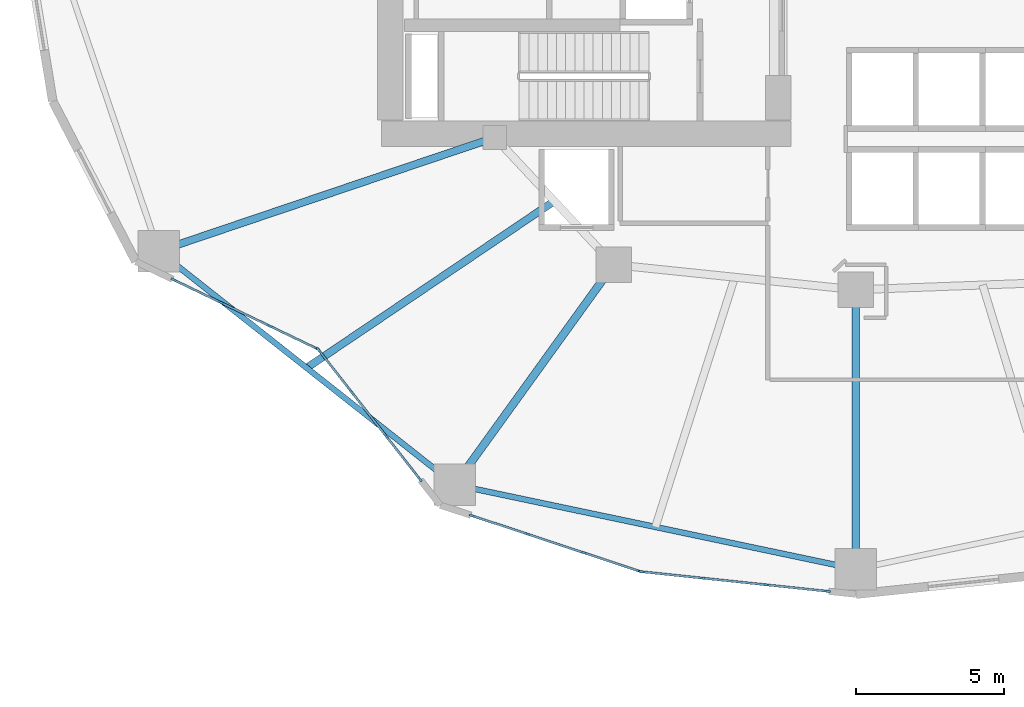
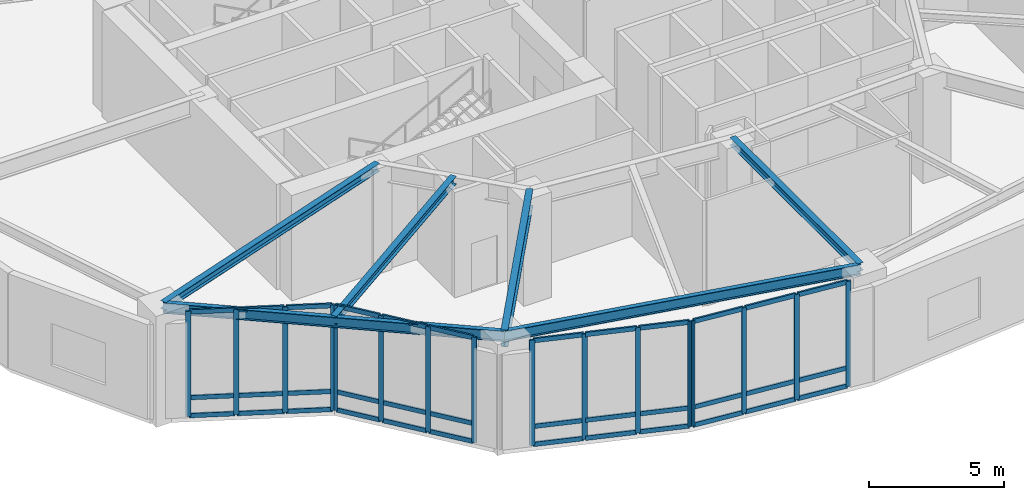
# One storey, part 2 of 24: 52 members, 6 beams, 4 elements without a shape of their own.
"""IFC4 building model written with IfcOpenShell, lengths in metres."""

from ifc_helpers import new_model, si_unit, direction, frame, origin, origin_2d, place, context, subcontext, project, spatial, rectangle, i_section, extrude, material, layer, layer_set, material_profile, profile_set, type_object, element, aggregate, save


model = new_model("IFC4")

# Units and contexts
model_context = context("Model", 3, precision=1e-05, world=origin(), true_north=direction((0.0, 1.0)))
body_context = subcontext(model_context, "Body", "Model", "MODEL_VIEW")
ifc_project = project(units=[si_unit("LENGTHUNIT", "METRE"), si_unit("AREAUNIT", "SQUARE_METRE"), si_unit("VOLUMEUNIT", "CUBIC_METRE"), si_unit("PLANEANGLEUNIT", "RADIAN"), si_unit("MASSUNIT", "GRAM", prefix="KILO")], contexts=[model_context])

# Site, building, storey
site_placement = place(None, origin())
site = spatial("IfcSite", under=ifc_project, at=site_placement, CompositionType="ELEMENT")
building_placement = place(site_placement, origin())
building = spatial("IfcBuilding", under=site, at=building_placement, Name="Kolvaren Gate Tower and Convention Centre", CompositionType="ELEMENT")
storey_placement = place(building_placement, frame((0.0, 0.0, 10.0)))
storey = spatial("IfcBuildingStorey", under=building, at=storey_placement, Name="L02", CompositionType="ELEMENT", Elevation=10.0)

# Curtain wall, members
ifc_material_1 = material(Name="Anodized Architectural Aluminium Alloy 6063-T6", Category="aluminium")
ifc_layer = layer(ifc_material_1, 0.179931640625)
ifc_layer_set = layer_set([ifc_layer], Name="Anodized Architectural Aluminium Alloy 6063-T6")
curtain_wall_type = type_object("IfcCurtainWallType", Name="CW-POD-GLZ", PredefinedType="NOTDEFINED", material=ifc_layer_set)
curtain_wall_1_placement = place(storey_placement, origin())
curtain_wall_1 = element("IfcCurtainWall", 1, at=curtain_wall_1_placement, inside=storey, type_object=curtain_wall_type, Name="Tower L02 Unitised Curtain Wall CW-POD-GLZ Bay 14", PredefinedType="NOTDEFINED")
ifc_material_profile_1 = material_profile(ifc_material_1, rectangle(XDim=0.074951171875, YDim=0.199951171875, at=origin_2d()), Name="CW-MEM-MUL-200")
ifc_profile_set_1 = profile_set([ifc_material_profile_1], Name="Anodized Architectural Aluminium Alloy 6063-T6")
member_type_1 = type_object("IfcMemberType", Name="CW-MEM-MUL-200", PredefinedType="MULLION", material=ifc_profile_set_1)
member_1_placement = place(storey_placement, frame((7.046630859375, 15.1357421875, 0.0), z_axis=(0.0, 0.0, 1.0), x_axis=(0.433056703319, 0.901366679942, 0.0)))
member_1 = element("IfcMember", 2, at=member_1_placement, type_object=member_type_1, Name="CW-01 mullion 1", PredefinedType="MULLION", context=body_context, shape_type="SweptSolid", body=[
    extrude(rectangle(XDim=0.074951171875, YDim=0.199951171875, at=origin_2d()), origin(), (0.0, 0.0, 1.0), 4.760009765625),
])
member_2_placement = place(storey_placement, frame((8.6533203125, 14.36376953125, 0.0), z_axis=(0.0, 0.0, 1.0), x_axis=(0.433056703319, 0.901366679942, 0.0)))
member_2 = element("IfcMember", 3, at=member_2_placement, type_object=member_type_1, Name="CW-01 mullion 2", PredefinedType="MULLION", context=body_context, shape_type="SweptSolid", body=[
    extrude(rectangle(XDim=0.074951171875, YDim=0.199951171875, at=origin_2d()), origin(), (0.0, 0.0, 1.0), 4.760009765625),
])
member_3_placement = place(storey_placement, frame((10.2939453125, 13.575439453125, 0.0), z_axis=(0.0, 0.0, 1.0), x_axis=(0.433056703319, 0.901366679942, 0.0)))
member_3 = element("IfcMember", 4, at=member_3_placement, type_object=member_type_1, Name="CW-01 mullion 3", PredefinedType="MULLION", context=body_context, shape_type="SweptSolid", body=[
    extrude(rectangle(XDim=0.074951171875, YDim=0.199951171875, at=origin_2d()), origin(), (0.0, 0.0, 1.0), 4.760009765625),
])
member_4_placement = place(storey_placement, frame((11.90087890625, 12.803466796875, 0.0), z_axis=(0.0, 0.0, 1.0), x_axis=(0.433056703319, 0.901366679942, 0.0)))
member_4 = element("IfcMember", 5, at=member_4_placement, type_object=member_type_1, Name="CW-01 mullion 4", PredefinedType="MULLION", context=body_context, shape_type="SweptSolid", body=[
    extrude(rectangle(XDim=0.074951171875, YDim=0.199951171875, at=origin_2d()), origin(), (0.0, 0.0, 1.0), 4.760009765625),
])

curtain_wall_2_placement = place(storey_placement, origin())
curtain_wall_2 = element("IfcCurtainWall", 6, at=curtain_wall_2_placement, inside=storey, type_object=curtain_wall_type, Name="Tower L02 Unitised Curtain Wall CW-POD-GLZ Bay 15", PredefinedType="NOTDEFINED")
member_5_placement = place(storey_placement, frame((11.957763671875, 12.757568359375, 0.0), z_axis=(0.0, 0.0, 1.0), x_axis=(0.787416755422, 0.616421003276, 0.0)))
member_5 = element("IfcMember", 7, at=member_5_placement, type_object=member_type_1, Name="CW-01 mullion 1", PredefinedType="MULLION", context=body_context, shape_type="SweptSolid", body=[
    extrude(rectangle(XDim=0.074951171875, YDim=0.199951171875, at=origin_2d()), origin(), (0.0, 0.0, 1.0), 4.760009765625),
])
member_6_placement = place(storey_placement, frame((13.08935546875, 11.31201171875, 0.0), z_axis=(0.0, 0.0, 1.0), x_axis=(0.787416755422, 0.616421003276, 0.0)))
member_6 = element("IfcMember", 8, at=member_6_placement, type_object=member_type_1, Name="CW-01 mullion 2", PredefinedType="MULLION", context=body_context, shape_type="SweptSolid", body=[
    extrude(rectangle(XDim=0.074951171875, YDim=0.199951171875, at=origin_2d()), origin(), (0.0, 0.0, 1.0), 4.760009765625),
])
member_7_placement = place(storey_placement, frame((14.244140625, 9.8369140625, 0.0), z_axis=(0.0, 0.0, 1.0), x_axis=(0.787416755422, 0.616421003276, 0.0)))
member_7 = element("IfcMember", 9, at=member_7_placement, type_object=member_type_1, Name="CW-01 mullion 3", PredefinedType="MULLION", context=body_context, shape_type="SweptSolid", body=[
    extrude(rectangle(XDim=0.074951171875, YDim=0.199951171875, at=origin_2d()), origin(), (0.0, 0.0, 1.0), 4.760009765625),
])
member_8_placement = place(storey_placement, frame((15.3759765625, 8.391357421875, 0.0), z_axis=(0.0, 0.0, 1.0), x_axis=(0.787416755422, 0.616421003276, 0.0)))
member_8 = element("IfcMember", 10, at=member_8_placement, type_object=member_type_1, Name="CW-01 mullion 4", PredefinedType="MULLION", context=body_context, shape_type="SweptSolid", body=[
    extrude(rectangle(XDim=0.074951171875, YDim=0.199951171875, at=origin_2d()), origin(), (0.0, 0.0, 1.0), 4.760009765625),
])

curtain_wall_3_placement = place(storey_placement, origin())
curtain_wall_3 = element("IfcCurtainWall", 11, at=curtain_wall_3_placement, inside=storey, type_object=curtain_wall_type, Name="Tower L02 Unitised Curtain Wall CW-POD-GLZ Bay 16", PredefinedType="NOTDEFINED")
member_9_placement = place(storey_placement, frame((17.137451171875, 7.158203125, 0.0), z_axis=(0.0, 0.0, 1.0), x_axis=(0.314546537175, 0.949242053404, 0.0)))
member_9 = element("IfcMember", 12, at=member_9_placement, type_object=member_type_1, Name="CW-01 mullion 1", PredefinedType="MULLION", context=body_context, shape_type="SweptSolid", body=[
    extrude(rectangle(XDim=0.074951171875, YDim=0.199951171875, at=origin_2d()), origin(), (0.0, 0.0, 1.0), 4.760009765625),
])
member_10_placement = place(storey_placement, frame((19.0166015625, 6.53564453125, 0.0), z_axis=(0.0, 0.0, 1.0), x_axis=(0.314546537175, 0.949242053404, 0.0)))
member_10 = element("IfcMember", 13, at=member_10_placement, type_object=member_type_1, Name="CW-01 mullion 2", PredefinedType="MULLION", context=body_context, shape_type="SweptSolid", body=[
    extrude(rectangle(XDim=0.074951171875, YDim=0.199951171875, at=origin_2d()), origin(), (0.0, 0.0, 1.0), 4.760009765625),
])
member_11_placement = place(storey_placement, frame((20.93115234375, 5.901123046875, 0.0), z_axis=(0.0, 0.0, 1.0), x_axis=(0.314546537175, 0.949242053404, 0.0)))
member_11 = element("IfcMember", 14, at=member_11_placement, type_object=member_type_1, Name="CW-01 mullion 3", PredefinedType="MULLION", context=body_context, shape_type="SweptSolid", body=[
    extrude(rectangle(XDim=0.074951171875, YDim=0.199951171875, at=origin_2d()), origin(), (0.0, 0.0, 1.0), 4.760009765625),
])
member_12_placement = place(storey_placement, frame((22.81005859375, 5.278564453125, 0.0), z_axis=(0.0, 0.0, 1.0), x_axis=(0.314546537175, 0.949242053404, 0.0)))
member_12 = element("IfcMember", 15, at=member_12_placement, type_object=member_type_1, Name="CW-01 mullion 4", PredefinedType="MULLION", context=body_context, shape_type="SweptSolid", body=[
    extrude(rectangle(XDim=0.074951171875, YDim=0.199951171875, at=origin_2d()), origin(), (0.0, 0.0, 1.0), 4.760009765625),
])

curtain_wall_4_placement = place(storey_placement, origin())
curtain_wall_4 = element("IfcCurtainWall", 16, at=curtain_wall_4_placement, inside=storey, type_object=curtain_wall_type, Name="Tower L02 Unitised Curtain Wall CW-POD-GLZ Bay 17", PredefinedType="NOTDEFINED")
member_13_placement = place(storey_placement, frame((22.883056640625, 5.2626953125, 0.0), z_axis=(0.0, 0.0, 1.0), x_axis=(0.104741799872, 0.994499449653, 0.0)))
member_13 = element("IfcMember", 17, at=member_13_placement, type_object=member_type_1, Name="CW-01 mullion 1", PredefinedType="MULLION", context=body_context, shape_type="SweptSolid", body=[
    extrude(rectangle(XDim=0.074951171875, YDim=0.199951171875, at=origin_2d()), origin(), (0.0, 0.0, 1.0), 4.760009765625),
])
member_14_placement = place(storey_placement, frame((24.96435546875, 5.04345703125, 0.0), z_axis=(0.0, 0.0, 1.0), x_axis=(0.104741799872, 0.994499449653, 0.0)))
member_14 = element("IfcMember", 18, at=member_14_placement, type_object=member_type_1, Name="CW-01 mullion 2", PredefinedType="MULLION", context=body_context, shape_type="SweptSolid", body=[
    extrude(rectangle(XDim=0.074951171875, YDim=0.199951171875, at=origin_2d()), origin(), (0.0, 0.0, 1.0), 4.760009765625),
])
member_15_placement = place(storey_placement, frame((27.0830078125, 4.8203125, 0.0), z_axis=(0.0, 0.0, 1.0), x_axis=(0.104741799872, 0.994499449653, 0.0)))
member_15 = element("IfcMember", 19, at=member_15_placement, type_object=member_type_1, Name="CW-01 mullion 3", PredefinedType="MULLION", context=body_context, shape_type="SweptSolid", body=[
    extrude(rectangle(XDim=0.074951171875, YDim=0.199951171875, at=origin_2d()), origin(), (0.0, 0.0, 1.0), 4.760009765625),
])
member_16_placement = place(storey_placement, frame((29.164306640625, 4.601318359375, 0.0), z_axis=(0.0, 0.0, 1.0), x_axis=(0.104741799872, 0.994499449653, 0.0)))
member_16 = element("IfcMember", 20, at=member_16_placement, type_object=member_type_1, Name="CW-01 mullion 4", PredefinedType="MULLION", context=body_context, shape_type="SweptSolid", body=[
    extrude(rectangle(XDim=0.074951171875, YDim=0.199951171875, at=origin_2d()), origin(), (0.0, 0.0, 1.0), 4.760009765625),
])

# Member
ifc_material_profile_2 = material_profile(ifc_material_1, rectangle(XDim=0.074951171875, YDim=0.199951171875, at=origin_2d()), Name="CW-MEM-TRN-200")
ifc_profile_set_2 = profile_set([ifc_material_profile_2], Name="Anodized Architectural Aluminium Alloy 6063-T6")
member_type_2 = type_object("IfcMemberType", Name="CW-MEM-TRN-200", PredefinedType="USERDEFINED", material=ifc_profile_set_2)
member_17_placement = place(storey_placement, frame((7.080322265625, 15.119384765625, 0.03759765625), z_axis=(0.901377999465, -0.433033142011, 0.0), x_axis=(0.433033142011, 0.901377999465, 0.0)))
member_17 = element("IfcMember", 21, at=member_17_placement, type_object=member_type_2, Name="CW-01 transom 1.1", ObjectType="TRANSOM", PredefinedType="USERDEFINED", context=body_context, shape_type="SweptSolid", body=[
    extrude(rectangle(XDim=0.074951171875, YDim=0.199951171875, at=origin_2d()), origin(), (0.0, 0.0, 1.0), 1.707763671875),
])

member_18_placement = place(storey_placement, frame((7.080322265625, 15.119384765625, 0.85009765625), z_axis=(0.901377999465, -0.433033142011, 0.0), x_axis=(0.433033142011, 0.901377999465, 0.0)))
member_18 = element("IfcMember", 22, at=member_18_placement, type_object=member_type_2, Name="CW-01 transom 1.2", ObjectType="TRANSOM", PredefinedType="USERDEFINED", context=body_context, shape_type="SweptSolid", body=[
    extrude(rectangle(XDim=0.074951171875, YDim=0.199951171875, at=origin_2d()), origin(), (0.0, 0.0, 1.0), 1.707763671875),
])

member_19_placement = place(storey_placement, frame((7.080322265625, 15.119384765625, 4.722412109375), z_axis=(0.901377999465, -0.433033142011, 0.0), x_axis=(0.433033142011, 0.901377999465, 0.0)))
member_19 = element("IfcMember", 23, at=member_19_placement, type_object=member_type_2, Name="CW-01 transom 1.3", ObjectType="TRANSOM", PredefinedType="USERDEFINED", context=body_context, shape_type="SweptSolid", body=[
    extrude(rectangle(XDim=0.074951171875, YDim=0.199951171875, at=origin_2d()), origin(), (0.0, 0.0, 1.0), 1.707763671875),
])

member_20_placement = place(storey_placement, frame((8.687255859375, 14.347412109375, 0.03759765625), z_axis=(0.901339603895, -0.433113055046, 0.0), x_axis=(0.433113055046, 0.901339603895, 0.0)))
member_20 = element("IfcMember", 24, at=member_20_placement, type_object=member_type_2, Name="CW-01 transom 2.1", ObjectType="TRANSOM", PredefinedType="USERDEFINED", context=body_context, shape_type="SweptSolid", body=[
    extrude(rectangle(XDim=0.074951171875, YDim=0.199951171875, at=origin_2d()), origin(), (0.0, 0.0, 1.0), 1.7451171875),
])

member_21_placement = place(storey_placement, frame((8.687255859375, 14.347412109375, 0.85009765625), z_axis=(0.901339603895, -0.433113055046, 0.0), x_axis=(0.433113055046, 0.901339603895, 0.0)))
member_21 = element("IfcMember", 25, at=member_21_placement, type_object=member_type_2, Name="CW-01 transom 2.2", ObjectType="TRANSOM", PredefinedType="USERDEFINED", context=body_context, shape_type="SweptSolid", body=[
    extrude(rectangle(XDim=0.074951171875, YDim=0.199951171875, at=origin_2d()), origin(), (0.0, 0.0, 1.0), 1.7451171875),
])

member_22_placement = place(storey_placement, frame((8.687255859375, 14.347412109375, 4.722412109375), z_axis=(0.901339603895, -0.433113055046, 0.0), x_axis=(0.433113055046, 0.901339603895, 0.0)))
member_22 = element("IfcMember", 26, at=member_22_placement, type_object=member_type_2, Name="CW-01 transom 2.3", ObjectType="TRANSOM", PredefinedType="USERDEFINED", context=body_context, shape_type="SweptSolid", body=[
    extrude(rectangle(XDim=0.074951171875, YDim=0.199951171875, at=origin_2d()), origin(), (0.0, 0.0, 1.0), 1.7451171875),
])

member_23_placement = place(storey_placement, frame((10.327880859375, 13.55908203125, 0.03759765625), z_axis=(0.901377999465, -0.433033142011, 0.0), x_axis=(0.433033142011, 0.901377999465, 0.0)))
member_23 = element("IfcMember", 27, at=member_23_placement, type_object=member_type_2, Name="CW-01 transom 3.1", ObjectType="TRANSOM", PredefinedType="USERDEFINED", context=body_context, shape_type="SweptSolid", body=[
    extrude(rectangle(XDim=0.074951171875, YDim=0.199951171875, at=origin_2d()), origin(), (0.0, 0.0, 1.0), 1.707763671875),
])

member_24_placement = place(storey_placement, frame((10.327880859375, 13.55908203125, 0.85009765625), z_axis=(0.901377999465, -0.433033142011, 0.0), x_axis=(0.433033142011, 0.901377999465, 0.0)))
member_24 = element("IfcMember", 28, at=member_24_placement, type_object=member_type_2, Name="CW-01 transom 3.2", ObjectType="TRANSOM", PredefinedType="USERDEFINED", context=body_context, shape_type="SweptSolid", body=[
    extrude(rectangle(XDim=0.074951171875, YDim=0.199951171875, at=origin_2d()), origin(), (0.0, 0.0, 1.0), 1.707763671875),
])

member_25_placement = place(storey_placement, frame((10.327880859375, 13.55908203125, 4.722412109375), z_axis=(0.901377999465, -0.433033142011, 0.0), x_axis=(0.433033142011, 0.901377999465, 0.0)))
member_25 = element("IfcMember", 29, at=member_25_placement, type_object=member_type_2, Name="CW-01 transom 3.3", ObjectType="TRANSOM", PredefinedType="USERDEFINED", context=body_context, shape_type="SweptSolid", body=[
    extrude(rectangle(XDim=0.074951171875, YDim=0.199951171875, at=origin_2d()), origin(), (0.0, 0.0, 1.0), 1.707763671875),
])

aggregate(curtain_wall_1, [member_1, member_2, member_3, member_4, member_17, member_18, member_19, member_20, member_21, member_22, member_23, member_24, member_25])

member_26_placement = place(storey_placement, frame((11.98095703125, 12.72802734375, 0.03759765625), z_axis=(0.616442840137, -0.787399660175, 0.0), x_axis=(0.787399660175, 0.616442840137, 0.0)))
member_26 = element("IfcMember", 30, at=member_26_placement, type_object=member_type_2, Name="CW-01 transom 1.1", ObjectType="TRANSOM", PredefinedType="USERDEFINED", context=body_context, shape_type="SweptSolid", body=[
    extrude(rectangle(XDim=0.074951171875, YDim=0.199951171875, at=origin_2d()), origin(), (0.0, 0.0, 1.0), 1.7607421875),
])

member_27_placement = place(storey_placement, frame((11.98095703125, 12.72802734375, 0.85009765625), z_axis=(0.616442840137, -0.787399660175, 0.0), x_axis=(0.787399660175, 0.616442840137, 0.0)))
member_27 = element("IfcMember", 31, at=member_27_placement, type_object=member_type_2, Name="CW-01 transom 1.2", ObjectType="TRANSOM", PredefinedType="USERDEFINED", context=body_context, shape_type="SweptSolid", body=[
    extrude(rectangle(XDim=0.074951171875, YDim=0.199951171875, at=origin_2d()), origin(), (0.0, 0.0, 1.0), 1.7607421875),
])

member_28_placement = place(storey_placement, frame((11.98095703125, 12.72802734375, 4.722412109375), z_axis=(0.616442840137, -0.787399660175, 0.0), x_axis=(0.787399660175, 0.616442840137, 0.0)))
member_28 = element("IfcMember", 32, at=member_28_placement, type_object=member_type_2, Name="CW-01 transom 1.3", ObjectType="TRANSOM", PredefinedType="USERDEFINED", context=body_context, shape_type="SweptSolid", body=[
    extrude(rectangle(XDim=0.074951171875, YDim=0.199951171875, at=origin_2d()), origin(), (0.0, 0.0, 1.0), 1.7607421875),
])

member_29_placement = place(storey_placement, frame((13.112548828125, 11.282470703125, 0.03759765625), z_axis=(0.616465649316, -0.787381802694, 0.0), x_axis=(0.787381802694, 0.616465649316, 0.0)))
member_29 = element("IfcMember", 33, at=member_29_placement, type_object=member_type_2, Name="CW-01 transom 2.1", ObjectType="TRANSOM", PredefinedType="USERDEFINED", context=body_context, shape_type="SweptSolid", body=[
    extrude(rectangle(XDim=0.074951171875, YDim=0.199951171875, at=origin_2d()), origin(), (0.0, 0.0, 1.0), 1.79833984375),
])

member_30_placement = place(storey_placement, frame((13.112548828125, 11.282470703125, 0.85009765625), z_axis=(0.616465649316, -0.787381802694, 0.0), x_axis=(0.787381802694, 0.616465649316, 0.0)))
member_30 = element("IfcMember", 34, at=member_30_placement, type_object=member_type_2, Name="CW-01 transom 2.2", ObjectType="TRANSOM", PredefinedType="USERDEFINED", context=body_context, shape_type="SweptSolid", body=[
    extrude(rectangle(XDim=0.074951171875, YDim=0.199951171875, at=origin_2d()), origin(), (0.0, 0.0, 1.0), 1.79833984375),
])

member_31_placement = place(storey_placement, frame((13.112548828125, 11.282470703125, 4.722412109375), z_axis=(0.616465649316, -0.787381802694, 0.0), x_axis=(0.787381802694, 0.616465649316, 0.0)))
member_31 = element("IfcMember", 35, at=member_31_placement, type_object=member_type_2, Name="CW-01 transom 2.3", ObjectType="TRANSOM", PredefinedType="USERDEFINED", context=body_context, shape_type="SweptSolid", body=[
    extrude(rectangle(XDim=0.074951171875, YDim=0.199951171875, at=origin_2d()), origin(), (0.0, 0.0, 1.0), 1.79833984375),
])

member_32_placement = place(storey_placement, frame((14.267333984375, 9.807373046875, 0.03759765625), z_axis=(0.616442840137, -0.787399660175, 0.0), x_axis=(0.787399660175, 0.616442840137, 0.0)))
member_32 = element("IfcMember", 36, at=member_32_placement, type_object=member_type_2, Name="CW-01 transom 3.1", ObjectType="TRANSOM", PredefinedType="USERDEFINED", context=body_context, shape_type="SweptSolid", body=[
    extrude(rectangle(XDim=0.074951171875, YDim=0.199951171875, at=origin_2d()), origin(), (0.0, 0.0, 1.0), 1.7607421875),
])

member_33_placement = place(storey_placement, frame((14.267333984375, 9.807373046875, 0.85009765625), z_axis=(0.616442840137, -0.787399660175, 0.0), x_axis=(0.787399660175, 0.616442840137, 0.0)))
member_33 = element("IfcMember", 37, at=member_33_placement, type_object=member_type_2, Name="CW-01 transom 3.2", ObjectType="TRANSOM", PredefinedType="USERDEFINED", context=body_context, shape_type="SweptSolid", body=[
    extrude(rectangle(XDim=0.074951171875, YDim=0.199951171875, at=origin_2d()), origin(), (0.0, 0.0, 1.0), 1.7607421875),
])

member_34_placement = place(storey_placement, frame((14.267333984375, 9.807373046875, 4.722412109375), z_axis=(0.616442840137, -0.787399660175, 0.0), x_axis=(0.787399660175, 0.616442840137, 0.0)))
member_34 = element("IfcMember", 38, at=member_34_placement, type_object=member_type_2, Name="CW-01 transom 3.3", ObjectType="TRANSOM", PredefinedType="USERDEFINED", context=body_context, shape_type="SweptSolid", body=[
    extrude(rectangle(XDim=0.074951171875, YDim=0.199951171875, at=origin_2d()), origin(), (0.0, 0.0, 1.0), 1.7607421875),
])

aggregate(curtain_wall_2, [member_5, member_6, member_7, member_8, member_26, member_27, member_28, member_29, member_30, member_31, member_32, member_33, member_34])

member_35_placement = place(storey_placement, frame((17.173095703125, 7.146484375, 0.03759765625), z_axis=(0.949233065789, -0.314573658804, 0.0), x_axis=(0.314573658804, 0.949233065789, 0.0)))
member_35 = element("IfcMember", 39, at=member_35_placement, type_object=member_type_2, Name="CW-01 transom 1.1", ObjectType="TRANSOM", PredefinedType="USERDEFINED", context=body_context, shape_type="SweptSolid", body=[
    extrude(rectangle(XDim=0.074951171875, YDim=0.199951171875, at=origin_2d()), origin(), (0.0, 0.0, 1.0), 1.904541015625),
])

member_36_placement = place(storey_placement, frame((17.173095703125, 7.146484375, 0.85009765625), z_axis=(0.949233065789, -0.314573658804, 0.0), x_axis=(0.314573658804, 0.949233065789, 0.0)))
member_36 = element("IfcMember", 40, at=member_36_placement, type_object=member_type_2, Name="CW-01 transom 1.2", ObjectType="TRANSOM", PredefinedType="USERDEFINED", context=body_context, shape_type="SweptSolid", body=[
    extrude(rectangle(XDim=0.074951171875, YDim=0.199951171875, at=origin_2d()), origin(), (0.0, 0.0, 1.0), 1.904541015625),
])

member_37_placement = place(storey_placement, frame((17.173095703125, 7.146484375, 4.722412109375), z_axis=(0.949233065789, -0.314573658804, 0.0), x_axis=(0.314573658804, 0.949233065789, 0.0)))
member_37 = element("IfcMember", 41, at=member_37_placement, type_object=member_type_2, Name="CW-01 transom 1.3", ObjectType="TRANSOM", PredefinedType="USERDEFINED", context=body_context, shape_type="SweptSolid", body=[
    extrude(rectangle(XDim=0.074951171875, YDim=0.199951171875, at=origin_2d()), origin(), (0.0, 0.0, 1.0), 1.904541015625),
])

member_38_placement = place(storey_placement, frame((19.052001953125, 6.523681640625, 0.03759765625), z_axis=(0.949247481786, -0.314530154871, 0.0), x_axis=(0.314530154871, 0.949247481786, 0.0)))
member_38 = element("IfcMember", 42, at=member_38_placement, type_object=member_type_2, Name="CW-01 transom 2.1", ObjectType="TRANSOM", PredefinedType="USERDEFINED", context=body_context, shape_type="SweptSolid", body=[
    extrude(rectangle(XDim=0.074951171875, YDim=0.199951171875, at=origin_2d()), origin(), (0.0, 0.0, 1.0), 1.942138671875),
])

member_39_placement = place(storey_placement, frame((19.052001953125, 6.523681640625, 0.85009765625), z_axis=(0.949247481786, -0.314530154871, 0.0), x_axis=(0.314530154871, 0.949247481786, 0.0)))
member_39 = element("IfcMember", 43, at=member_39_placement, type_object=member_type_2, Name="CW-01 transom 2.2", ObjectType="TRANSOM", PredefinedType="USERDEFINED", context=body_context, shape_type="SweptSolid", body=[
    extrude(rectangle(XDim=0.074951171875, YDim=0.199951171875, at=origin_2d()), origin(), (0.0, 0.0, 1.0), 1.942138671875),
])

member_40_placement = place(storey_placement, frame((19.052001953125, 6.523681640625, 4.722412109375), z_axis=(0.949247481786, -0.314530154871, 0.0), x_axis=(0.314530154871, 0.949247481786, 0.0)))
member_40 = element("IfcMember", 44, at=member_40_placement, type_object=member_type_2, Name="CW-01 transom 2.3", ObjectType="TRANSOM", PredefinedType="USERDEFINED", context=body_context, shape_type="SweptSolid", body=[
    extrude(rectangle(XDim=0.074951171875, YDim=0.199951171875, at=origin_2d()), origin(), (0.0, 0.0, 1.0), 1.942138671875),
])

member_41_placement = place(storey_placement, frame((20.966796875, 5.889404296875, 0.03759765625), z_axis=(0.949220378414, -0.314611940657, 0.0), x_axis=(0.314611940657, 0.949220378414, 0.0)))
member_41 = element("IfcMember", 45, at=member_41_placement, type_object=member_type_2, Name="CW-01 transom 3.1", ObjectType="TRANSOM", PredefinedType="USERDEFINED", context=body_context, shape_type="SweptSolid", body=[
    extrude(rectangle(XDim=0.074951171875, YDim=0.199951171875, at=origin_2d()), origin(), (0.0, 0.0, 1.0), 1.904296875),
])

member_42_placement = place(storey_placement, frame((20.966796875, 5.889404296875, 0.85009765625), z_axis=(0.949220378414, -0.314611940657, 0.0), x_axis=(0.314611940657, 0.949220378414, 0.0)))
member_42 = element("IfcMember", 46, at=member_42_placement, type_object=member_type_2, Name="CW-01 transom 3.2", ObjectType="TRANSOM", PredefinedType="USERDEFINED", context=body_context, shape_type="SweptSolid", body=[
    extrude(rectangle(XDim=0.074951171875, YDim=0.199951171875, at=origin_2d()), origin(), (0.0, 0.0, 1.0), 1.904296875),
])

member_43_placement = place(storey_placement, frame((20.966796875, 5.889404296875, 4.722412109375), z_axis=(0.949220378414, -0.314611940657, 0.0), x_axis=(0.314611940657, 0.949220378414, 0.0)))
member_43 = element("IfcMember", 47, at=member_43_placement, type_object=member_type_2, Name="CW-01 transom 3.3", ObjectType="TRANSOM", PredefinedType="USERDEFINED", context=body_context, shape_type="SweptSolid", body=[
    extrude(rectangle(XDim=0.074951171875, YDim=0.199951171875, at=origin_2d()), origin(), (0.0, 0.0, 1.0), 1.904296875),
])

aggregate(curtain_wall_3, [member_9, member_10, member_11, member_12, member_35, member_36, member_37, member_38, member_39, member_40, member_41, member_42, member_43])

member_44_placement = place(storey_placement, frame((22.920166015625, 5.2587890625, 0.03759765625), z_axis=(0.994508767121, -0.104653294837, 0.0), x_axis=(0.104653294837, 0.994508767121, 0.0)))
member_44 = element("IfcMember", 48, at=member_44_placement, type_object=member_type_2, Name="CW-01 transom 1.1", ObjectType="TRANSOM", PredefinedType="USERDEFINED", context=body_context, shape_type="SweptSolid", body=[
    extrude(rectangle(XDim=0.074951171875, YDim=0.199951171875, at=origin_2d()), origin(), (0.0, 0.0, 1.0), 2.017822265625),
])

member_45_placement = place(storey_placement, frame((22.920166015625, 5.2587890625, 0.85009765625), z_axis=(0.994508767121, -0.104653294837, 0.0), x_axis=(0.104653294837, 0.994508767121, 0.0)))
member_45 = element("IfcMember", 49, at=member_45_placement, type_object=member_type_2, Name="CW-01 transom 1.2", ObjectType="TRANSOM", PredefinedType="USERDEFINED", context=body_context, shape_type="SweptSolid", body=[
    extrude(rectangle(XDim=0.074951171875, YDim=0.199951171875, at=origin_2d()), origin(), (0.0, 0.0, 1.0), 2.017822265625),
])

member_46_placement = place(storey_placement, frame((22.920166015625, 5.2587890625, 4.722412109375), z_axis=(0.994508767121, -0.104653294837, 0.0), x_axis=(0.104653294837, 0.994508767121, 0.0)))
member_46 = element("IfcMember", 50, at=member_46_placement, type_object=member_type_2, Name="CW-01 transom 1.3", ObjectType="TRANSOM", PredefinedType="USERDEFINED", context=body_context, shape_type="SweptSolid", body=[
    extrude(rectangle(XDim=0.074951171875, YDim=0.199951171875, at=origin_2d()), origin(), (0.0, 0.0, 1.0), 2.017822265625),
])

member_47_placement = place(storey_placement, frame((25.001708984375, 5.03955078125, 0.03759765625), z_axis=(0.994508706958, -0.104653866559, 0.0), x_axis=(0.104653866559, 0.994508706958, 0.0)))
member_47 = element("IfcMember", 51, at=member_47_placement, type_object=member_type_2, Name="CW-01 transom 2.1", ObjectType="TRANSOM", PredefinedType="USERDEFINED", context=body_context, shape_type="SweptSolid", body=[
    extrude(rectangle(XDim=0.074951171875, YDim=0.199951171875, at=origin_2d()), origin(), (0.0, 0.0, 1.0), 2.05517578125),
])

member_48_placement = place(storey_placement, frame((25.001708984375, 5.03955078125, 0.85009765625), z_axis=(0.994508706958, -0.104653866559, 0.0), x_axis=(0.104653866559, 0.994508706958, 0.0)))
member_48 = element("IfcMember", 52, at=member_48_placement, type_object=member_type_2, Name="CW-01 transom 2.2", ObjectType="TRANSOM", PredefinedType="USERDEFINED", context=body_context, shape_type="SweptSolid", body=[
    extrude(rectangle(XDim=0.074951171875, YDim=0.199951171875, at=origin_2d()), origin(), (0.0, 0.0, 1.0), 2.05517578125),
])

member_49_placement = place(storey_placement, frame((25.001708984375, 5.03955078125, 4.722412109375), z_axis=(0.994508706958, -0.104653866559, 0.0), x_axis=(0.104653866559, 0.994508706958, 0.0)))
member_49 = element("IfcMember", 53, at=member_49_placement, type_object=member_type_2, Name="CW-01 transom 2.3", ObjectType="TRANSOM", PredefinedType="USERDEFINED", context=body_context, shape_type="SweptSolid", body=[
    extrude(rectangle(XDim=0.074951171875, YDim=0.199951171875, at=origin_2d()), origin(), (0.0, 0.0, 1.0), 2.05517578125),
])

member_50_placement = place(storey_placement, frame((27.1201171875, 4.81640625, 0.03759765625), z_axis=(0.994508767121, -0.104653294837, 0.0), x_axis=(0.104653294837, 0.994508767121, 0.0)))
member_50 = element("IfcMember", 54, at=member_50_placement, type_object=member_type_2, Name="CW-01 transom 3.1", ObjectType="TRANSOM", PredefinedType="USERDEFINED", context=body_context, shape_type="SweptSolid", body=[
    extrude(rectangle(XDim=0.074951171875, YDim=0.199951171875, at=origin_2d()), origin(), (0.0, 0.0, 1.0), 2.017822265625),
])

member_51_placement = place(storey_placement, frame((27.1201171875, 4.81640625, 0.85009765625), z_axis=(0.994508767121, -0.104653294837, 0.0), x_axis=(0.104653294837, 0.994508767121, 0.0)))
member_51 = element("IfcMember", 55, at=member_51_placement, type_object=member_type_2, Name="CW-01 transom 3.2", ObjectType="TRANSOM", PredefinedType="USERDEFINED", context=body_context, shape_type="SweptSolid", body=[
    extrude(rectangle(XDim=0.074951171875, YDim=0.199951171875, at=origin_2d()), origin(), (0.0, 0.0, 1.0), 2.017822265625),
])

member_52_placement = place(storey_placement, frame((27.1201171875, 4.81640625, 4.722412109375), z_axis=(0.994508767121, -0.104653294837, 0.0), x_axis=(0.104653294837, 0.994508767121, 0.0)))
member_52 = element("IfcMember", 56, at=member_52_placement, type_object=member_type_2, Name="CW-01 transom 3.3", ObjectType="TRANSOM", PredefinedType="USERDEFINED", context=body_context, shape_type="SweptSolid", body=[
    extrude(rectangle(XDim=0.074951171875, YDim=0.199951171875, at=origin_2d()), origin(), (0.0, 0.0, 1.0), 2.017822265625),
])

aggregate(curtain_wall_4, [member_13, member_14, member_15, member_16, member_44, member_45, member_46, member_47, member_48, member_49, member_50, member_51, member_52])

# Beams
ifc_material_2 = material(Name="Structural steel ASTM A992 Grade 345 MPa", Category="steel")
ifc_material_profile_3 = material_profile(ifc_material_2, i_section(OverallWidth=0.26806640625, OverallDepth=0.758056640625, WebThickness=0.016357421875, FlangeThickness=0.025390625, at=origin_2d()), Name="W760X220")
ifc_profile_set_3 = profile_set([ifc_material_profile_3], Name="Structural steel ASTM A992 Grade 345 MPa")
beam_type_1 = type_object("IfcBeamType", Name="STR-BM-W760X220", PredefinedType="BEAM", material=ifc_profile_set_3)
beam_1_placement = place(storey_placement, frame((21.93212890625, 15.647705078125, 4.381103515625), z_axis=(-0.585206018873, -0.810884649919, 0.0), x_axis=(0.810884649919, -0.585206018873, 0.0)))
element("IfcBeam", 57, at=beam_1_placement, inside=storey, type_object=beam_type_1, Name="Tower L02 Radial Floor Girder RB-09", PredefinedType="BEAM", context=body_context, shape_type="SweptSolid", body=[
    extrude(i_section(OverallWidth=0.26806640625, OverallDepth=0.758056640625, WebThickness=0.016357421875, FlangeThickness=0.025390625, at=origin_2d()), origin(), (0.0, 0.0, 1.0), 9.18017578125),
])
ifc_material_profile_4 = material_profile(ifc_material_2, i_section(OverallWidth=0.2548828125, OverallDepth=0.35693359375, WebThickness=0.010498046875, FlangeThickness=0.018310546875, at=origin_2d()), Name="W360X101")
ifc_profile_set_4 = profile_set([ifc_material_profile_4], Name="Structural steel ASTM A992 Grade 345 MPa")
beam_type_2 = type_object("IfcBeamType", Name="STR-JS-W360X101", PredefinedType="JOIST", material=ifc_profile_set_4)
beam_2_placement = place(storey_placement, frame((17.9140625, 19.949951171875, 4.58154296875), z_axis=(-0.947373842609, -0.320129352512, 0.0), x_axis=(0.320129352512, -0.947373842609, 0.0)))
element("IfcBeam", 58, at=beam_2_placement, inside=storey, type_object=beam_type_2, Name="Tower L02 Radial Floor Girder RB-08", PredefinedType="JOIST", context=body_context, shape_type="SweptSolid", body=[
    extrude(i_section(OverallWidth=0.2548828125, OverallDepth=0.35693359375, WebThickness=0.010498046875, FlangeThickness=0.018310546875, at=origin_2d()), origin(), (0.0, 0.0, 1.0), 12.006103515625),
])
beam_3_placement = place(storey_placement, frame((30.125, 14.800048828125, 4.58154296875), z_axis=(0.0, -1.0, 0.0), x_axis=(1.0, 0.0, 0.0)))
element("IfcBeam", 59, at=beam_3_placement, inside=storey, type_object=beam_type_2, Name="Tower L02 Radial Floor Girder RB-10", PredefinedType="JOIST", context=body_context, shape_type="SweptSolid", body=[
    extrude(i_section(OverallWidth=0.2548828125, OverallDepth=0.35693359375, WebThickness=0.010498046875, FlangeThickness=0.018310546875, at=origin_2d()), origin(), (0.0, 0.0, 1.0), 9.449951171875),
])
beam_4_placement = place(storey_placement, frame((19.923095703125, 17.798828125, 4.58154296875), z_axis=(-0.829223797874, -0.558916713866, 0.0), x_axis=(0.558916713866, -0.829223797874, 0.0)))
element("IfcBeam", 60, at=beam_4_placement, inside=storey, type_object=beam_type_2, Name="Tower L02 Secondary Composite Floor Joist J-08.1", PredefinedType="JOIST", context=body_context, shape_type="SweptSolid", body=[
    extrude(i_section(OverallWidth=0.2548828125, OverallDepth=0.35693359375, WebThickness=0.010498046875, FlangeThickness=0.018310546875, at=origin_2d()), origin(), (0.0, 0.0, 1.0), 10.09765625),
])
ifc_material_profile_5 = material_profile(ifc_material_2, i_section(OverallWidth=0.194091796875, OverallDepth=0.468994140625, WebThickness=0.0126953125, FlangeThickness=0.0205078125, at=origin_2d()), Name="W460X106")
ifc_profile_set_5 = profile_set([ifc_material_profile_5], Name="Structural steel ASTM A992 Grade 345 MPa")
beam_type_3 = type_object("IfcBeamType", Name="STR-SP-W460X106", PredefinedType="SPANDREL", material=ifc_profile_set_5)
beam_5_placement = place(storey_placement, frame((6.539794921875, 16.1064453125, 4.525390625), z_axis=(0.785176498861, -0.619272044933, 0.0), x_axis=(0.619272044933, 0.785176498861, 0.0)))
element("IfcBeam", 61, at=beam_5_placement, inside=storey, type_object=beam_type_3, Name="Tower L02 Perimeter Spandrel Beam SP-08", PredefinedType="SPANDREL", context=body_context, shape_type="SweptSolid", body=[
    extrude(i_section(OverallWidth=0.194091796875, OverallDepth=0.468994140625, WebThickness=0.0126953125, FlangeThickness=0.0205078125, at=origin_2d()), origin(), (0.0, 0.0, 1.0), 12.761474609375),
])
beam_6_placement = place(storey_placement, frame((16.559814453125, 8.20361328125, 4.525390625), z_axis=(0.978583407863, -0.205850707685, 0.0), x_axis=(0.205850707685, 0.978583407863, 0.0)))
element("IfcBeam", 62, at=beam_6_placement, inside=storey, type_object=beam_type_3, Name="Tower L02 Perimeter Spandrel Beam SP-09", PredefinedType="SPANDREL", context=body_context, shape_type="SweptSolid", body=[
    extrude(i_section(OverallWidth=0.194091796875, OverallDepth=0.468994140625, WebThickness=0.0126953125, FlangeThickness=0.0205078125, at=origin_2d()), origin(), (0.0, 0.0, 1.0), 13.862060546875),
])

save(model, "model.ifc")
